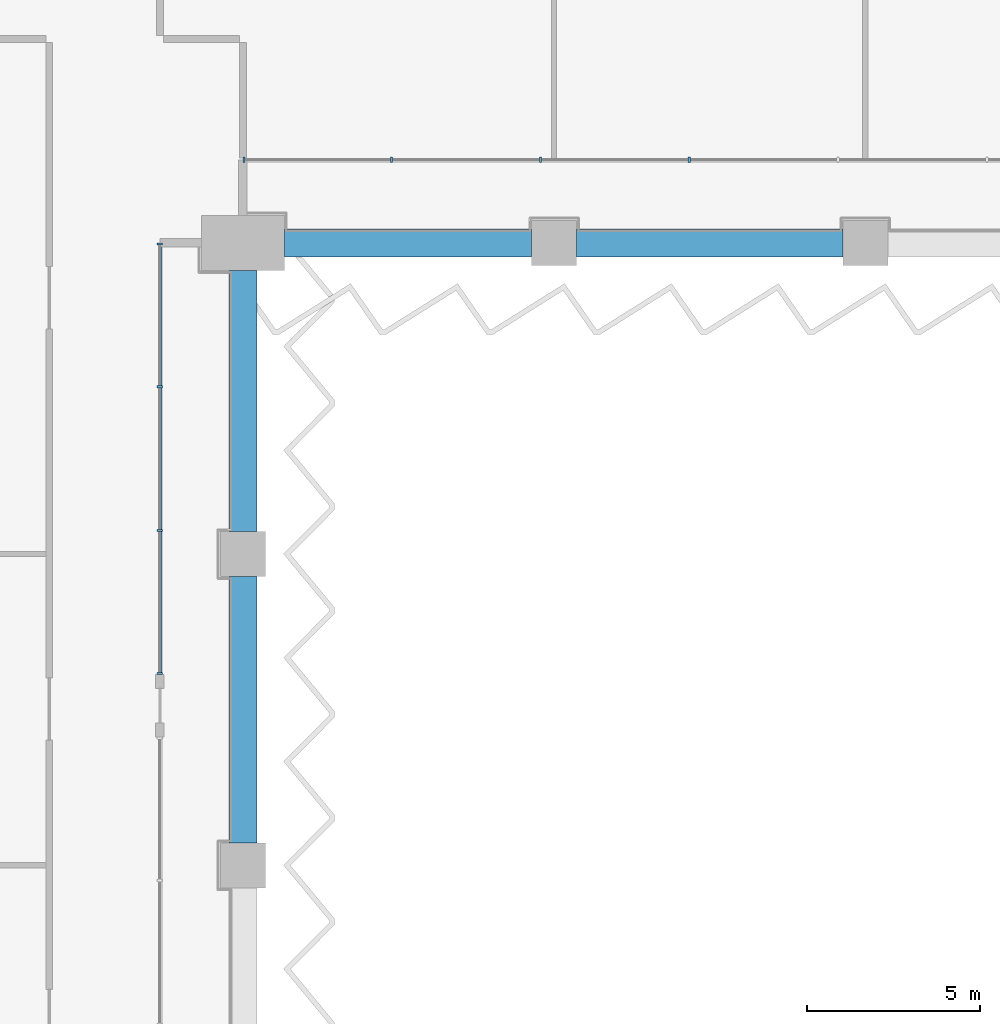
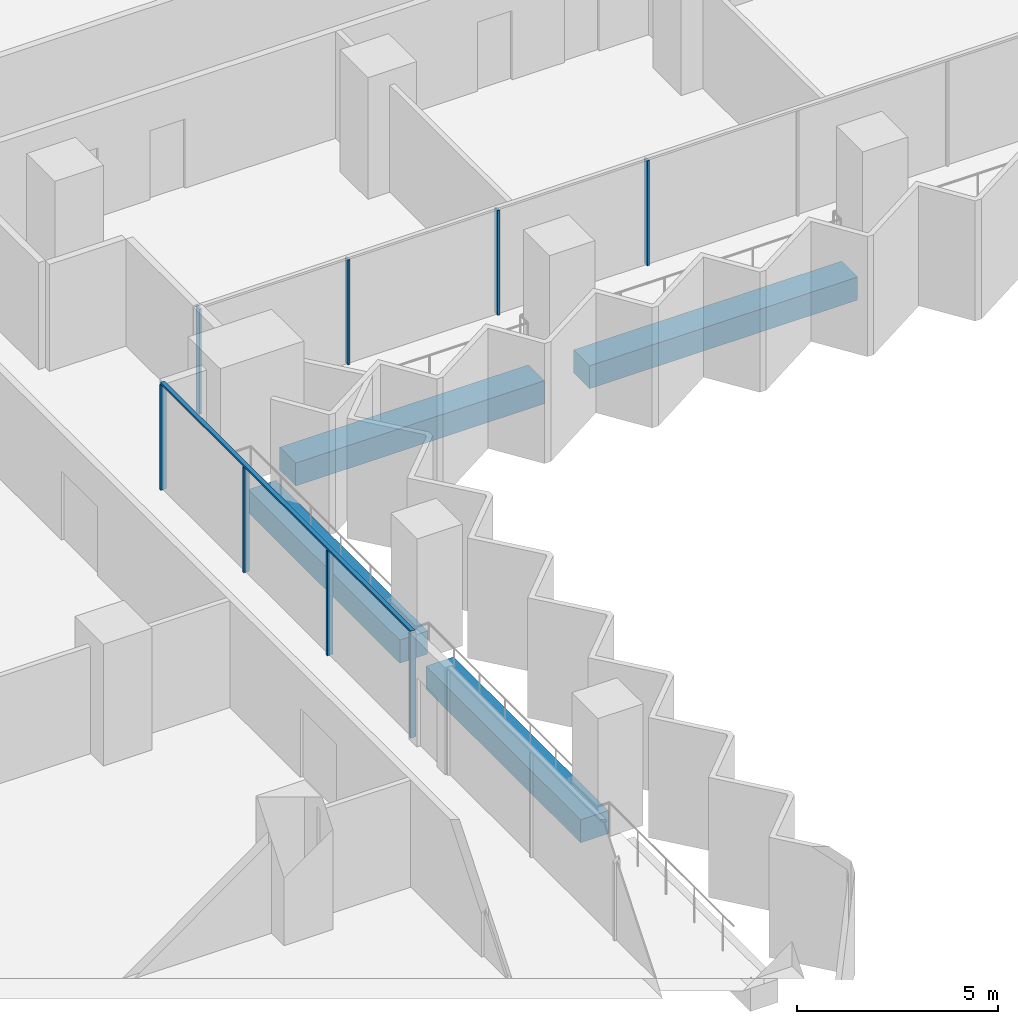
# One storey, part 4 of 28: 9 members, 4 beams, 2 elements without a shape of their own.
"""IFC4 building model written with IfcOpenShell, lengths in metres."""

from ifc_helpers import new_model, si_unit, direction, frame, origin, origin_2d, place, context, subcontext, project, spatial, rectangle, extrude, material, material_profile, profile_set, type_object, element, aggregate, save


model = new_model("IFC4")

# Units and contexts
model_context = context("Model", 3, precision=1e-05, world=origin(), true_north=direction((0.0, 1.0)))
body_context = subcontext(model_context, "Body", "Model", "MODEL_VIEW")
ifc_project = project(units=[si_unit("LENGTHUNIT", "METRE"), si_unit("AREAUNIT", "SQUARE_METRE"), si_unit("VOLUMEUNIT", "CUBIC_METRE"), si_unit("PLANEANGLEUNIT", "RADIAN"), si_unit("MASSUNIT", "GRAM", prefix="KILO")], contexts=[model_context])

# Site, building, storey
site_placement = place(None, origin())
site = spatial("IfcSite", under=ifc_project, at=site_placement, CompositionType="ELEMENT")
building_placement = place(site_placement, origin())
building = spatial("IfcBuilding", under=site, at=building_placement, Name="Hunhe Ridgeline Campus", CompositionType="ELEMENT")
storey_placement = place(building_placement, frame((0.0, 0.0, 76.5)))
storey = spatial("IfcBuildingStorey", under=building, at=storey_placement, Name="L18", CompositionType="ELEMENT", Elevation=76.5)

# Curtain wall, members
ifc_material_1 = material(Name="Aluminium 6063", Category="aluminium")
curtain_wall_type = type_object("IfcCurtainWallType", Name="Curtain wall CW-1", PredefinedType="NOTDEFINED", material=ifc_material_1)
curtain_wall_1_placement = place(storey_placement, origin())
curtain_wall_1 = element("IfcCurtainWall", 1, at=curtain_wall_1_placement, inside=storey, type_object=curtain_wall_type, Name="Curtain wall 12", PredefinedType="NOTDEFINED")
ifc_material_profile_1 = material_profile(ifc_material_1, rectangle(XDim=0.159912109375, YDim=0.06005859375, at=origin_2d()))
ifc_profile_set_1 = profile_set([ifc_material_profile_1], Name="Aluminium 6063")
member_type_1 = type_object("IfcMemberType", Name="CW-1 aluminium mullion", PredefinedType="MULLION", material=ifc_profile_set_1)
member_1_placement = place(storey_placement, frame((42.59912109375, 41.54833984375, 0.0), z_axis=(0.0, 0.0, 1.0), x_axis=(-1.0, 1.60239e-07, 0.0)))
member_1 = element("IfcMember", 2, at=member_1_placement, type_object=member_type_1, Name="CW-1 mullion 1", PredefinedType="MULLION", context=body_context, shape_type="SweptSolid", body=[
    extrude(rectangle(XDim=0.159912109375, YDim=0.06005859375, at=origin_2d()), origin(), (0.0, 0.0, 1.0), 3.18994140625),
])
member_2_placement = place(storey_placement, frame((42.59912109375, 45.678955078125, 0.0), z_axis=(0.0, 0.0, 1.0), x_axis=(-1.0, 1.60239e-07, 0.0)))
member_2 = element("IfcMember", 3, at=member_2_placement, type_object=member_type_1, Name="CW-1 mullion 2", PredefinedType="MULLION", context=body_context, shape_type="SweptSolid", body=[
    extrude(rectangle(XDim=0.159912109375, YDim=0.06005859375, at=origin_2d()), origin(), (0.0, 0.0, 1.0), 3.18994140625),
])
member_3_placement = place(storey_placement, frame((42.59912109375, 49.839599609375, 0.0), z_axis=(0.0, 0.0, 1.0), x_axis=(-1.0, 1.60239e-07, 0.0)))
member_3 = element("IfcMember", 4, at=member_3_placement, type_object=member_type_1, Name="CW-1 mullion 3", PredefinedType="MULLION", context=body_context, shape_type="SweptSolid", body=[
    extrude(rectangle(XDim=0.159912109375, YDim=0.06005859375, at=origin_2d()), origin(), (0.0, 0.0, 1.0), 3.18994140625),
])
member_4_placement = place(storey_placement, frame((42.59912109375, 53.97021484375, 0.0), z_axis=(0.0, 0.0, 1.0), x_axis=(-1.0, 1.60239e-07, 0.0)))
member_4 = element("IfcMember", 5, at=member_4_placement, type_object=member_type_1, Name="CW-1 mullion 4", PredefinedType="MULLION", context=body_context, shape_type="SweptSolid", body=[
    extrude(rectangle(XDim=0.159912109375, YDim=0.06005859375, at=origin_2d()), origin(), (0.0, 0.0, 1.0), 3.18994140625),
])

curtain_wall_2_placement = place(storey_placement, origin())
curtain_wall_2 = element("IfcCurtainWall", 6, at=curtain_wall_2_placement, inside=storey, type_object=curtain_wall_type, Name="Curtain wall 13", PredefinedType="NOTDEFINED")
member_5_placement = place(storey_placement, frame((45.029541015625, 56.40087890625, 0.0), z_axis=(0.0, 0.0, 1.0), x_axis=(-3.602063e-06, 0.999999999994, 0.0)))
member_5 = element("IfcMember", 7, at=member_5_placement, type_object=member_type_1, Name="CW-1 mullion 1", PredefinedType="MULLION", context=body_context, shape_type="SweptSolid", body=[
    extrude(rectangle(XDim=0.159912109375, YDim=0.06005859375, at=origin_2d()), origin(), (0.0, 0.0, 1.0), 3.18994140625),
])
member_6_placement = place(storey_placement, frame((49.302490234375, 56.40087890625, 0.0), z_axis=(0.0, 0.0, 1.0), x_axis=(-3.602063e-06, 0.999999999994, 0.0)))
member_6 = element("IfcMember", 8, at=member_6_placement, type_object=member_type_1, Name="CW-1 mullion 2", PredefinedType="MULLION", context=body_context, shape_type="SweptSolid", body=[
    extrude(rectangle(XDim=0.159912109375, YDim=0.06005859375, at=origin_2d()), origin(), (0.0, 0.0, 1.0), 3.18994140625),
])
member_7_placement = place(storey_placement, frame((53.605712890625, 56.40087890625, 0.0), z_axis=(0.0, 0.0, 1.0), x_axis=(-3.602063e-06, 0.999999999994, 0.0)))
member_7 = element("IfcMember", 9, at=member_7_placement, type_object=member_type_1, Name="CW-1 mullion 3", PredefinedType="MULLION", context=body_context, shape_type="SweptSolid", body=[
    extrude(rectangle(XDim=0.159912109375, YDim=0.06005859375, at=origin_2d()), origin(), (0.0, 0.0, 1.0), 3.18994140625),
])
member_8_placement = place(storey_placement, frame((57.90869140625, 56.40087890625, 0.0), z_axis=(0.0, 0.0, 1.0), x_axis=(-3.602063e-06, 0.999999999994, 0.0)))
member_8 = element("IfcMember", 10, at=member_8_placement, type_object=member_type_1, Name="CW-1 mullion 4", PredefinedType="MULLION", context=body_context, shape_type="SweptSolid", body=[
    extrude(rectangle(XDim=0.159912109375, YDim=0.06005859375, at=origin_2d()), origin(), (0.0, 0.0, 1.0), 3.18994140625),
])
aggregate(curtain_wall_2, [member_5, member_6, member_7, member_8])

# Member
ifc_material_profile_2 = material_profile(ifc_material_1, rectangle(XDim=0.1201171875, YDim=0.06005859375, at=origin_2d()))
ifc_profile_set_2 = profile_set([ifc_material_profile_2], Name="Aluminium 6063")
member_type_2 = type_object("IfcMemberType", Name="CW-1 aluminium transom", PredefinedType="USERDEFINED", material=ifc_profile_set_2)
member_9_placement = place(storey_placement, frame((42.59912109375, 41.518310546875, 3.219970703125), z_axis=(0.0, 1.0, 0.0), x_axis=(-1.0, 0.0, 0.0)))
member_9 = element("IfcMember", 11, at=member_9_placement, type_object=member_type_2, Name="CW-1 transom 1", ObjectType="TRANSOM", PredefinedType="USERDEFINED", context=body_context, shape_type="SweptSolid", body=[
    extrude(rectangle(XDim=0.1201171875, YDim=0.06005859375, at=origin_2d()), origin(), (0.0, 0.0, 1.0), 12.481689453125),
])

aggregate(curtain_wall_1, [member_9, member_1, member_2, member_3, member_4])

# Beams
ifc_material_2 = material(Name="Concrete C60", Category="concrete")
ifc_material_profile_3 = material_profile(ifc_material_2, rectangle(XDim=0.800048828125, YDim=0.699951171875, at=origin_2d()))
ifc_profile_set_3 = profile_set([ifc_material_profile_3], Name="Concrete C60")
beam_type = type_object("IfcBeamType", Name="RC spandrel beam 800x700 Concrete C60", PredefinedType="SPANDREL", material=ifc_profile_set_3)
beam_1_placement = place(storey_placement, frame((45.0, 36.64990234375, -0.60009765625), z_axis=(0.0, 1.0, 0.0), x_axis=(-1.0, 0.0, 0.0)))
element("IfcBeam", 12, at=beam_1_placement, inside=storey, type_object=beam_type, Name="Spandrel beam B1-10 L18", PredefinedType="SPANDREL", context=body_context, shape_type="SweptSolid", body=[
    extrude(rectangle(XDim=0.800048828125, YDim=0.699951171875, at=origin_2d()), origin(), (0.0, 0.0, 1.0), 7.7001953125),
])
beam_2_placement = place(storey_placement, frame((45.0, 45.64990234375, -0.60009765625), z_axis=(0.0, 1.0, 0.0), x_axis=(-1.0, 0.0, 0.0)))
element("IfcBeam", 13, at=beam_2_placement, inside=storey, type_object=beam_type, Name="Spandrel beam B1-11 L18", PredefinedType="SPANDREL", context=body_context, shape_type="SweptSolid", body=[
    extrude(rectangle(XDim=0.800048828125, YDim=0.699951171875, at=origin_2d()), origin(), (0.0, 0.0, 1.0), 7.550048828125),
])
beam_3_placement = place(storey_placement, frame((46.199951171875, 54.0, -0.60009765625), z_axis=(1.0, 0.0, 0.0), x_axis=(0.0, 1.0, 0.0)))
element("IfcBeam", 14, at=beam_3_placement, inside=storey, type_object=beam_type, Name="Spandrel beam B1-12 L18", PredefinedType="SPANDREL", context=body_context, shape_type="SweptSolid", body=[
    extrude(rectangle(XDim=0.800048828125, YDim=0.699951171875, at=origin_2d()), origin(), (0.0, 0.0, 1.0), 7.150146484375),
])
beam_4_placement = place(storey_placement, frame((54.64990234375, 54.0, -0.60009765625), z_axis=(1.0, 0.0, 0.0), x_axis=(0.0, 1.0, 0.0)))
element("IfcBeam", 15, at=beam_4_placement, inside=storey, type_object=beam_type, Name="Spandrel beam B1-13 L18", PredefinedType="SPANDREL", context=body_context, shape_type="SweptSolid", body=[
    extrude(rectangle(XDim=0.800048828125, YDim=0.699951171875, at=origin_2d()), origin(), (0.0, 0.0, 1.0), 7.7001953125),
])

save(model, "model.ifc")
